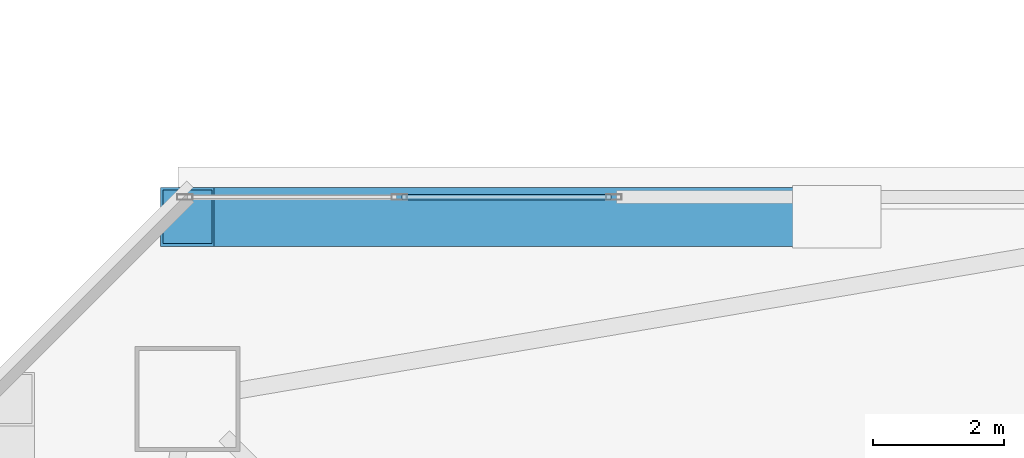
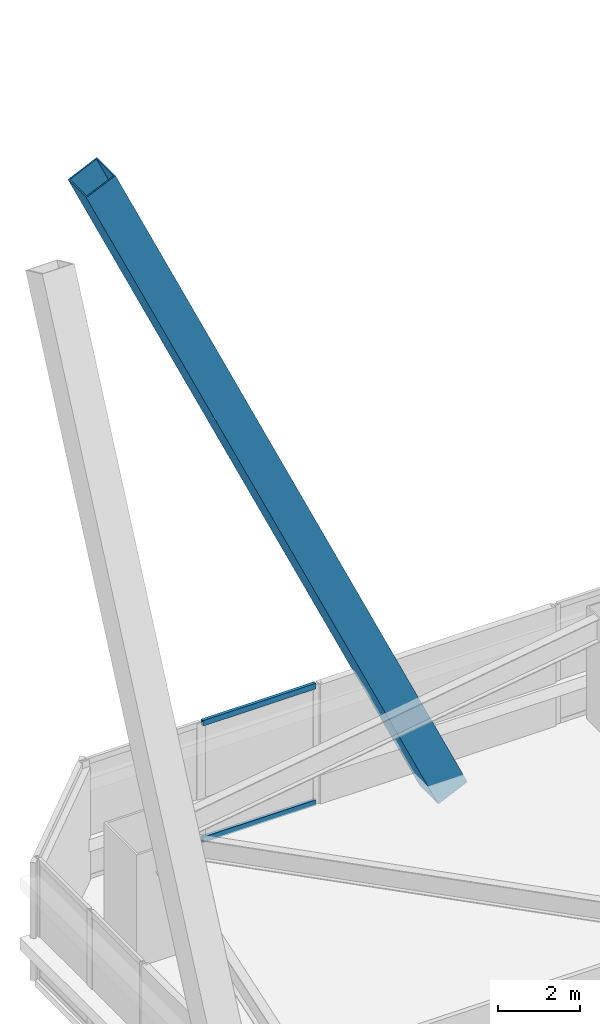
# One storey, part 22 of 75: 3 members, 1 element without a shape of its own.
"""IFC4 building model written with IfcOpenShell, lengths in metres."""

from ifc_helpers import new_model, si_unit, direction, frame, origin, origin_2d, place, context, subcontext, project, spatial, hollow_rectangle, extrude, material, material_profile, profile_set, type_object, element, aggregate, save


model = new_model("IFC4")

# Units and contexts
model_context = context("Model", 3, precision=1e-05, world=origin(), true_north=direction((0.0, 1.0)))
body_context = subcontext(model_context, "Body", "Model", "MODEL_VIEW")
ifc_project = project(units=[si_unit("LENGTHUNIT", "METRE"), si_unit("AREAUNIT", "SQUARE_METRE"), si_unit("VOLUMEUNIT", "CUBIC_METRE"), si_unit("PLANEANGLEUNIT", "RADIAN"), si_unit("MASSUNIT", "GRAM", prefix="KILO")], contexts=[model_context])

# Site, building, storey
site_placement = place(None, origin())
site = spatial("IfcSite", under=ifc_project, at=site_placement, CompositionType="ELEMENT")
building_placement = place(site_placement, origin())
building = spatial("IfcBuilding", under=site, at=building_placement, Name="Tashvorn Skyway Center", CompositionType="ELEMENT")
storey_placement = place(building_placement, frame((0.0, 0.0, 45.89990234375)))
storey = spatial("IfcBuildingStorey", under=building, at=storey_placement, Name="L11", CompositionType="ELEMENT", Elevation=45.89990234375)

# Curtain wall, members
ifc_material_1 = material(Name="Thermally broken bronze-anodized aluminium 6063-T6", Category="aluminium")
curtain_wall_type = type_object("IfcCurtainWallType", Name="CW-CW-Z1", PredefinedType="NOTDEFINED", material=ifc_material_1)
curtain_wall_placement = place(storey_placement, origin())
curtain_wall = element("IfcCurtainWall", 1, at=curtain_wall_placement, inside=storey, type_object=curtain_wall_type, Name="Tower 1 L11 North Unitised Curtain Wall Glazing Group 1", PredefinedType="NOTDEFINED")
ifc_material_profile_1 = material_profile(ifc_material_1, hollow_rectangle(XDim=0.0849609375, YDim=0.1650390625, WallThickness=0.0048828125, at=origin_2d()), Name="ALU-TRAN-85x165")
ifc_profile_set_1 = profile_set([ifc_material_profile_1], Name="Thermally broken bronze-anodized aluminium 6063-T6")
member_type_1 = type_object("IfcMemberType", Name="CWT-CW-Z1", PredefinedType="USERDEFINED", material=ifc_profile_set_1)
member_1_placement = place(storey_placement, frame((25.475830078125, 54.8798828125, 0.04248046875), z_axis=(1.0, 0.0, 0.0), x_axis=(0.0, 1.0, 0.0)))
member_1 = element("IfcMember", 2, at=member_1_placement, type_object=member_type_1, Name="CW-Z1 transom 2.1", ObjectType="TRANSOM", PredefinedType="USERDEFINED", context=body_context, shape_type="SweptSolid", body=[
    extrude(hollow_rectangle(XDim=0.0849609375, YDim=0.1650390625, WallThickness=0.0048828125, at=origin_2d()), origin(), (0.0, 0.0, 1.0), 3.185791015625),
])
member_2_placement = place(storey_placement, frame((25.475830078125, 54.8798828125, 3.507568359375), z_axis=(1.0, 0.0, 0.0), x_axis=(0.0, 1.0, 0.0)))
member_2 = element("IfcMember", 3, at=member_2_placement, type_object=member_type_1, Name="CW-Z1 transom 2.2", ObjectType="TRANSOM", PredefinedType="USERDEFINED", context=body_context, shape_type="SweptSolid", body=[
    extrude(hollow_rectangle(XDim=0.0849609375, YDim=0.1650390625, WallThickness=0.0048828125, at=origin_2d()), origin(), (0.0, 0.0, 1.0), 3.185791015625),
])
aggregate(curtain_wall, [member_1, member_2])

# Member
ifc_material_2 = material(Name="Steel ASTM A572 Grade 50", Category="steel")
ifc_material_profile_2 = material_profile(ifc_material_2, hollow_rectangle(XDim=0.89990234375, YDim=0.89990234375, WallThickness=0.0400390625, at=origin_2d()), Name="BOX900x900x40")
ifc_profile_set_2 = profile_set([ifc_material_profile_2], Name="Steel ASTM A572 Grade 50")
member_type_2 = type_object("IfcMemberType", Name="MEM-MB-900", PredefinedType="BRACE", material=ifc_profile_set_2)
member_3_placement = place(storey_placement, frame((32.10009765625, 54.580078125, -0.449951171875), z_axis=(-0.418259378631, 0.0, 0.908327634825), x_axis=(0.0, -1.0, 0.0)))
element("IfcMember", 4, at=member_3_placement, inside=storey, type_object=member_type_2, Name="Tower 1 Zone 1 N Chevron Mega-Brace R2", PredefinedType="BRACE", context=body_context, shape_type="SweptSolid", body=[
    extrude(hollow_rectangle(XDim=0.89990234375, YDim=0.89990234375, WallThickness=0.0400390625, at=origin_2d()), origin(), (0.0, 0.0, 1.0), 23.669921875),
])

save(model, "model.ifc")
